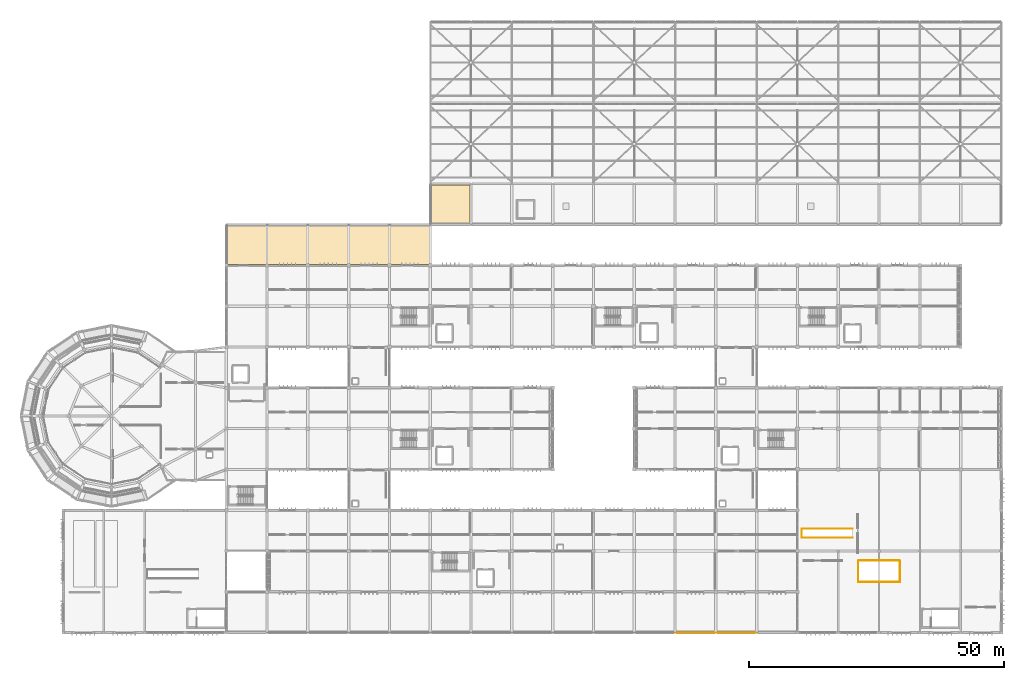
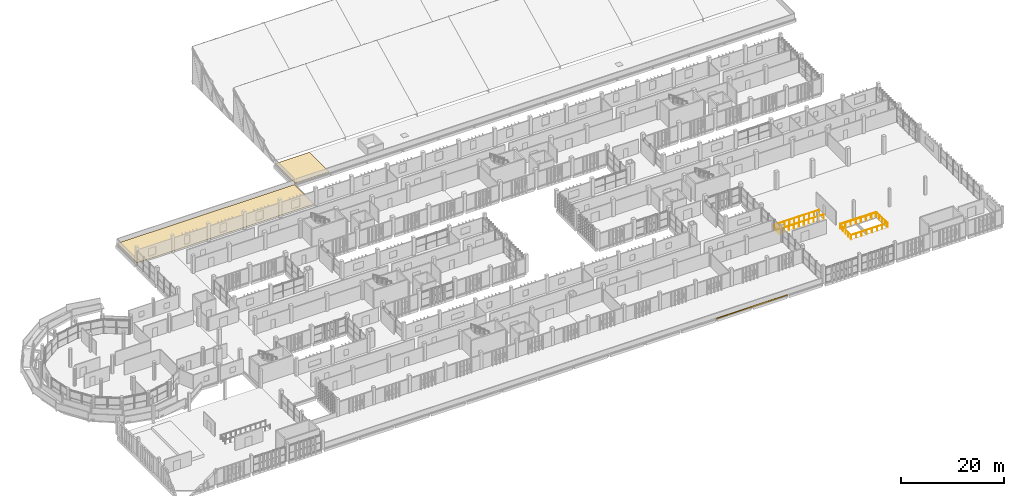
# One storey, part 135 of 137: 4 railings, 3 coverings.
"""IFC4 building model written with IfcOpenShell, lengths in metres."""

from ifc_helpers import new_model, si_unit, direction, frame, origin, origin_2d, place, context, subcontext, project, spatial, polyline, rectangle, circle, outline, extrude, material, layer, layer_set, type_object, element, save


model = new_model("IFC4")

# Units and contexts
model_context = context("Model", 3, precision=1e-05, world=origin(), true_north=direction((0.0, 1.0)))
body_context = subcontext(model_context, "Body", "Model", "MODEL_VIEW")
ifc_project = project(units=[si_unit("LENGTHUNIT", "METRE"), si_unit("AREAUNIT", "SQUARE_METRE"), si_unit("VOLUMEUNIT", "CUBIC_METRE"), si_unit("PLANEANGLEUNIT", "RADIAN"), si_unit("MASSUNIT", "GRAM", prefix="KILO")], contexts=[model_context])

# Site, building, storey
site_placement = place(None, origin())
site = spatial("IfcSite", under=ifc_project, at=site_placement, CompositionType="ELEMENT")
building_placement = place(site_placement, origin())
building = spatial("IfcBuilding", under=site, at=building_placement, Name="Jelvoka-Kovrelna Polytechnic", CompositionType="ELEMENT")
storey_placement = place(building_placement, frame((0.0, 0.0, 9.60009765625)))
storey = spatial("IfcBuildingStorey", under=building, at=storey_placement, Name="L03", CompositionType="ELEMENT", Elevation=9.60009765625)

# Coverings
ifc_material_1 = material(Name="Anodised aluminium architectural fascia cladding", Category="aluminium")
ifc_layer_1 = layer(ifc_material_1, 0.0400390625)
ifc_layer_set_1 = layer_set([ifc_layer_1], Name="Anodised aluminium architectural fascia cladding")
covering_type_1 = type_object("IfcCoveringType", Name="Covering_Fascia_Cladding_40", PredefinedType="CLADDING", material=ifc_layer_set_1)
covering_1_placement = place(storey_placement, frame((144.0, 0.0, -0.205078125), z_axis=(0.0, 0.0, 1.0), x_axis=(1.0, 0.0, 0.0)))
element("IfcCovering", 1, at=covering_1_placement, inside=storey, type_object=covering_type_1, Name="L03 colonnade eave anodised fascia cladding 06", PredefinedType="CLADDING", context=body_context, shape_type="SweptSolid", body=[
    extrude(rectangle(XDim=15.800048828125, YDim=0.0400390625, at=origin_2d()), origin(), (0.0, 0.0, 1.0), 0.219970703125),
])
ifc_material_2 = material(Name="Insulated elastomeric waterproofing membrane")
ifc_layer_2 = layer(ifc_material_2, 0.080078125)
ifc_layer_set_2 = layer_set([ifc_layer_2], Name="Insulated elastomeric waterproofing membrane")
covering_type_2 = type_object("IfcCoveringType", Name="Covering_Roof_Membrane_80", PredefinedType="ROOFING", material=ifc_layer_set_2)
covering_2_placement = place(storey_placement, origin())
element("IfcCovering", 2, at=covering_2_placement, inside=storey, type_object=covering_type_2, Name="L03 insulated roof membrane COV-ROOF-L03-V6N", PredefinedType="ROOFING", context=body_context, shape_type="SweptSolid", body=[
    extrude(outline(polyline([(48.199951171875, 72.199951171875), (87.800048828125, 72.199951171875), (87.800048828125, 79.800048828125), (48.199951171875, 79.800048828125), (48.199951171875, 72.199951171875)])), origin(), (0.0, 0.0, 1.0), 0.079833984375),
])
covering_3_placement = place(storey_placement, origin())
element("IfcCovering", 3, at=covering_3_placement, inside=storey, type_object=covering_type_2, Name="L03 insulated roof membrane COV-ROOF-L03-V1P", PredefinedType="ROOFING", context=body_context, shape_type="SweptSolid", body=[
    extrude(outline(polyline([(88.199951171875, 80.199951171875), (95.800048828125, 80.199951171875), (95.800048828125, 87.800048828125), (88.199951171875, 87.800048828125), (88.199951171875, 80.199951171875)])), origin(), (0.0, 0.0, 1.0), 0.079833984375),
])

# Railings
ifc_material_3 = material(Name="Powder-coated architectural steel and stainless top rail", Category="steel")
railing_type_1 = type_object("IfcRailingType", Name="Railing_Rotunda_Balustrade_1100", PredefinedType="BALUSTRADE", material=ifc_material_3)
railing_1_placement = place(storey_placement, frame((172.050048828125, 14.219970703125, 0.0)))
element("IfcRailing", 4, at=railing_1_placement, inside=storey, type_object=railing_type_1, Name="L03 refectory gallery balustrade", PredefinedType="BALUSTRADE", context=body_context, shape_type="SweptSolid", body=[
    extrude(circle(Radius=0.02392578125, at=origin_2d()), frame((0.0, 0.0, 1.076171875), z_axis=(1.0, 0.0, 0.0), x_axis=(0.0, 1.0, 0.0)), (0.0, 0.0, 1.0), 7.89990234375),
    extrude(circle(Radius=0.02099609375, at=origin_2d()), origin(), (0.0, 0.0, 1.0), 1.052001953125),
    extrude(circle(Radius=0.02099609375, at=origin_2d()), frame((1.128662109375, 0.0, 0.0)), (0.0, 0.0, 1.0), 1.052001953125),
    extrude(circle(Radius=0.02099609375, at=origin_2d()), frame((2.257080078125, 0.0, 0.0)), (0.0, 0.0, 1.0), 1.052001953125),
    extrude(circle(Radius=0.02099609375, at=origin_2d()), frame((3.3857421875, 0.0, 0.0)), (0.0, 0.0, 1.0), 1.052001953125),
    extrude(circle(Radius=0.02099609375, at=origin_2d()), frame((4.51416015625, 0.0, 0.0)), (0.0, 0.0, 1.0), 1.052001953125),
    extrude(circle(Radius=0.02099609375, at=origin_2d()), frame((5.642822265625, 0.0, 0.0)), (0.0, 0.0, 1.0), 1.052001953125),
    extrude(circle(Radius=0.02099609375, at=origin_2d()), frame((6.771240234375, 0.0, 0.0)), (0.0, 0.0, 1.0), 1.052001953125),
    extrude(circle(Radius=0.02099609375, at=origin_2d()), frame((7.89990234375, 0.0, 0.0)), (0.0, 0.0, 1.0), 1.052001953125),
])
ifc_material_4 = material(Name="Powder-coated steel stair guard", Category="steel")
railing_type_2 = type_object("IfcRailingType", Name="Railing_Stair_Guard_1100", PredefinedType="GUARDRAIL", material=ifc_material_4)
railing_2_placement = place(storey_placement, frame((170.840087890625, 20.385009765625, 0.0)))
element("IfcRailing", 5, at=railing_2_placement, inside=storey, type_object=railing_type_2, Name="L03 ST17 stairwell perimeter guard", PredefinedType="GUARDRAIL", context=body_context, shape_type="SweptSolid", body=[
    extrude(circle(Radius=0.02392578125, at=origin_2d()), frame((0.0, 0.0, 1.076171875), z_axis=(-1.0, 0.0, 0.0), x_axis=(0.0, -1.0, 0.0)), (0.0, 0.0, 1.0), 10.0),
    extrude(circle(Radius=0.02392578125, at=origin_2d()), frame((-10.0, 0.0, 1.076171875), z_axis=(0.0, -1.0, 0.0), x_axis=(1.0, 0.0, 0.0)), (0.0, 0.0, 1.0), 1.77001953125),
    extrude(circle(Radius=0.02392578125, at=origin_2d()), frame((-10.0, -1.77001953125, 1.076171875), z_axis=(1.0, 0.0, 0.0), x_axis=(0.0, 1.0, 0.0)), (0.0, 0.0, 1.0), 10.0),
    extrude(circle(Radius=0.02099609375, at=origin_2d()), origin(), (0.0, 0.0, 1.0), 1.052001953125),
    extrude(circle(Radius=0.02099609375, at=origin_2d()), frame((-1.111083984375, 0.0, 0.0)), (0.0, 0.0, 1.0), 1.052001953125),
    extrude(circle(Radius=0.02099609375, at=origin_2d()), frame((-2.22216796875, 0.0, 0.0)), (0.0, 0.0, 1.0), 1.052001953125),
    extrude(circle(Radius=0.02099609375, at=origin_2d()), frame((-3.333251953125, 0.0, 0.0)), (0.0, 0.0, 1.0), 1.052001953125),
    extrude(circle(Radius=0.02099609375, at=origin_2d()), frame((-4.4443359375, 0.0, 0.0)), (0.0, 0.0, 1.0), 1.052001953125),
    extrude(circle(Radius=0.02099609375, at=origin_2d()), frame((-5.5556640625, 0.0, 0.0)), (0.0, 0.0, 1.0), 1.052001953125),
    extrude(circle(Radius=0.02099609375, at=origin_2d()), frame((-6.666748046875, 0.0, 0.0)), (0.0, 0.0, 1.0), 1.052001953125),
    extrude(circle(Radius=0.02099609375, at=origin_2d()), frame((-7.77783203125, 0.0, 0.0)), (0.0, 0.0, 1.0), 1.052001953125),
    extrude(circle(Radius=0.02099609375, at=origin_2d()), frame((-8.888916015625, 0.0, 0.0)), (0.0, 0.0, 1.0), 1.052001953125),
    extrude(circle(Radius=0.02099609375, at=origin_2d()), frame((-10.0, 0.0, 0.0)), (0.0, 0.0, 1.0), 1.052001953125),
    extrude(circle(Radius=0.02099609375, at=origin_2d()), frame((-10.0, -0.885009765625, 0.0)), (0.0, 0.0, 1.0), 1.052001953125),
    extrude(circle(Radius=0.02099609375, at=origin_2d()), frame((-10.0, -1.77001953125, 0.0)), (0.0, 0.0, 1.0), 1.052001953125),
    extrude(circle(Radius=0.02099609375, at=origin_2d()), frame((-8.888916015625, -1.77001953125, 0.0)), (0.0, 0.0, 1.0), 1.052001953125),
    extrude(circle(Radius=0.02099609375, at=origin_2d()), frame((-7.77783203125, -1.77001953125, 0.0)), (0.0, 0.0, 1.0), 1.052001953125),
    extrude(circle(Radius=0.02099609375, at=origin_2d()), frame((-6.666748046875, -1.77001953125, 0.0)), (0.0, 0.0, 1.0), 1.052001953125),
    extrude(circle(Radius=0.02099609375, at=origin_2d()), frame((-5.5556640625, -1.77001953125, 0.0)), (0.0, 0.0, 1.0), 1.052001953125),
    extrude(circle(Radius=0.02099609375, at=origin_2d()), frame((-4.4443359375, -1.77001953125, 0.0)), (0.0, 0.0, 1.0), 1.052001953125),
    extrude(circle(Radius=0.02099609375, at=origin_2d()), frame((-3.333251953125, -1.77001953125, 0.0)), (0.0, 0.0, 1.0), 1.052001953125),
    extrude(circle(Radius=0.02099609375, at=origin_2d()), frame((-2.22216796875, -1.77001953125, 0.0)), (0.0, 0.0, 1.0), 1.052001953125),
    extrude(circle(Radius=0.02099609375, at=origin_2d()), frame((-1.111083984375, -1.77001953125, 0.0)), (0.0, 0.0, 1.0), 1.052001953125),
    extrude(circle(Radius=0.02099609375, at=origin_2d()), frame((0.0, -1.77001953125, 0.0)), (0.0, 0.0, 1.0), 1.052001953125),
])
ifc_material_5 = material(Name="Brushed stainless steel Grade 316", Category="steel")
railing_type_3 = type_object("IfcRailingType", Name="Railing_Terrace_Guard_1100", PredefinedType="GUARDRAIL", material=ifc_material_5)
railing_3_placement = place(storey_placement, frame((171.919921875, 9.919921875, 0.0)))
element("IfcRailing", 6, at=railing_3_placement, inside=storey, type_object=railing_type_3, Name="L03 refectory atrium void guard SE", PredefinedType="GUARDRAIL", context=body_context, shape_type="SweptSolid", body=[
    extrude(circle(Radius=0.02392578125, at=origin_2d()), frame((0.0, 0.0, 1.076171875), z_axis=(1.0, 0.0, 0.0), x_axis=(0.0, 1.0, 0.0)), (0.0, 0.0, 1.0), 8.16015625),
    extrude(circle(Radius=0.02392578125, at=origin_2d()), frame((8.16015625, 0.0, 1.076171875), z_axis=(0.0, 1.0, 0.0), x_axis=(-1.0, 0.0, 0.0)), (0.0, 0.0, 1.0), 4.16015625),
    extrude(circle(Radius=0.02099609375, at=origin_2d()), origin(), (0.0, 0.0, 1.0), 1.052001953125),
    extrude(circle(Radius=0.02099609375, at=origin_2d()), frame((1.165771484375, 0.0, 0.0)), (0.0, 0.0, 1.0), 1.052001953125),
    extrude(circle(Radius=0.02099609375, at=origin_2d()), frame((2.33154296875, 0.0, 0.0)), (0.0, 0.0, 1.0), 1.052001953125),
    extrude(circle(Radius=0.02099609375, at=origin_2d()), frame((3.497314453125, 0.0, 0.0)), (0.0, 0.0, 1.0), 1.052001953125),
    extrude(circle(Radius=0.02099609375, at=origin_2d()), frame((4.662841796875, 0.0, 0.0)), (0.0, 0.0, 1.0), 1.052001953125),
    extrude(circle(Radius=0.02099609375, at=origin_2d()), frame((5.82861328125, 0.0, 0.0)), (0.0, 0.0, 1.0), 1.052001953125),
    extrude(circle(Radius=0.02099609375, at=origin_2d()), frame((6.994384765625, 0.0, 0.0)), (0.0, 0.0, 1.0), 1.052001953125),
    extrude(circle(Radius=0.02099609375, at=origin_2d()), frame((8.16015625, 0.0, 0.0)), (0.0, 0.0, 1.0), 1.052001953125),
    extrude(circle(Radius=0.02099609375, at=origin_2d()), frame((8.16015625, 1.0400390625, 0.0)), (0.0, 0.0, 1.0), 1.052001953125),
    extrude(circle(Radius=0.02099609375, at=origin_2d()), frame((8.16015625, 2.080078125, 0.0)), (0.0, 0.0, 1.0), 1.052001953125),
    extrude(circle(Radius=0.02099609375, at=origin_2d()), frame((8.16015625, 3.1201171875, 0.0)), (0.0, 0.0, 1.0), 1.052001953125),
    extrude(circle(Radius=0.02099609375, at=origin_2d()), frame((8.16015625, 4.16015625, 0.0)), (0.0, 0.0, 1.0), 1.052001953125),
])
railing_4_placement = place(storey_placement, frame((180.080078125, 14.080078125, 0.0)))
element("IfcRailing", 7, at=railing_4_placement, inside=storey, type_object=railing_type_3, Name="L03 refectory atrium void guard NW", PredefinedType="GUARDRAIL", context=body_context, shape_type="SweptSolid", body=[
    extrude(circle(Radius=0.02392578125, at=origin_2d()), frame((0.0, 0.0, 1.076171875), z_axis=(-1.0, 0.0, 0.0), x_axis=(0.0, -1.0, 0.0)), (0.0, 0.0, 1.0), 8.16015625),
    extrude(circle(Radius=0.02392578125, at=origin_2d()), frame((-8.16015625, 0.0, 1.076171875), z_axis=(0.0, -1.0, 0.0), x_axis=(1.0, 0.0, 0.0)), (0.0, 0.0, 1.0), 4.16015625),
    extrude(circle(Radius=0.02099609375, at=origin_2d()), origin(), (0.0, 0.0, 1.0), 1.052001953125),
    extrude(circle(Radius=0.02099609375, at=origin_2d()), frame((-1.165771484375, 0.0, 0.0)), (0.0, 0.0, 1.0), 1.052001953125),
    extrude(circle(Radius=0.02099609375, at=origin_2d()), frame((-2.33154296875, 0.0, 0.0)), (0.0, 0.0, 1.0), 1.052001953125),
    extrude(circle(Radius=0.02099609375, at=origin_2d()), frame((-3.497314453125, 0.0, 0.0)), (0.0, 0.0, 1.0), 1.052001953125),
    extrude(circle(Radius=0.02099609375, at=origin_2d()), frame((-4.662841796875, 0.0, 0.0)), (0.0, 0.0, 1.0), 1.052001953125),
    extrude(circle(Radius=0.02099609375, at=origin_2d()), frame((-5.82861328125, 0.0, 0.0)), (0.0, 0.0, 1.0), 1.052001953125),
    extrude(circle(Radius=0.02099609375, at=origin_2d()), frame((-6.994384765625, 0.0, 0.0)), (0.0, 0.0, 1.0), 1.052001953125),
    extrude(circle(Radius=0.02099609375, at=origin_2d()), frame((-8.16015625, 0.0, 0.0)), (0.0, 0.0, 1.0), 1.052001953125),
    extrude(circle(Radius=0.02099609375, at=origin_2d()), frame((-8.16015625, -1.0400390625, 0.0)), (0.0, 0.0, 1.0), 1.052001953125),
    extrude(circle(Radius=0.02099609375, at=origin_2d()), frame((-8.16015625, -2.080078125, 0.0)), (0.0, 0.0, 1.0), 1.052001953125),
    extrude(circle(Radius=0.02099609375, at=origin_2d()), frame((-8.16015625, -3.1201171875, 0.0)), (0.0, 0.0, 1.0), 1.052001953125),
    extrude(circle(Radius=0.02099609375, at=origin_2d()), frame((-8.16015625, -4.16015625, 0.0)), (0.0, 0.0, 1.0), 1.052001953125),
])

save(model, "model.ifc")
